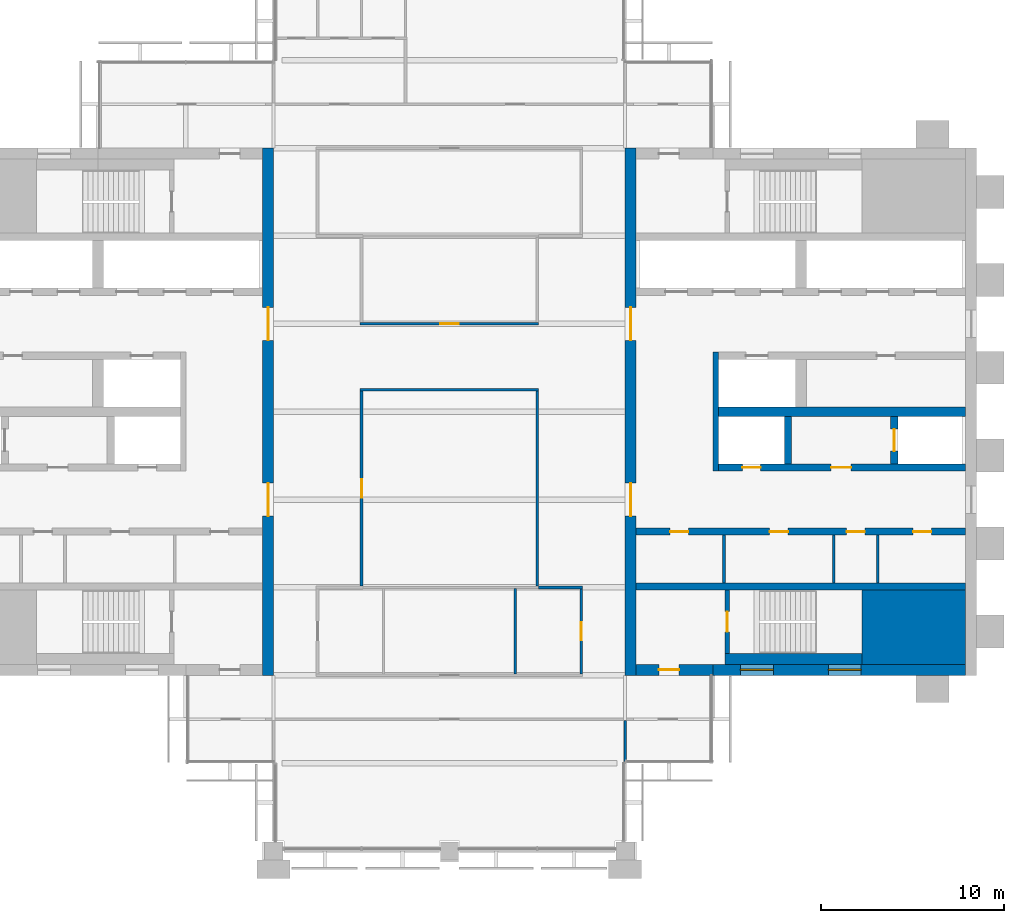
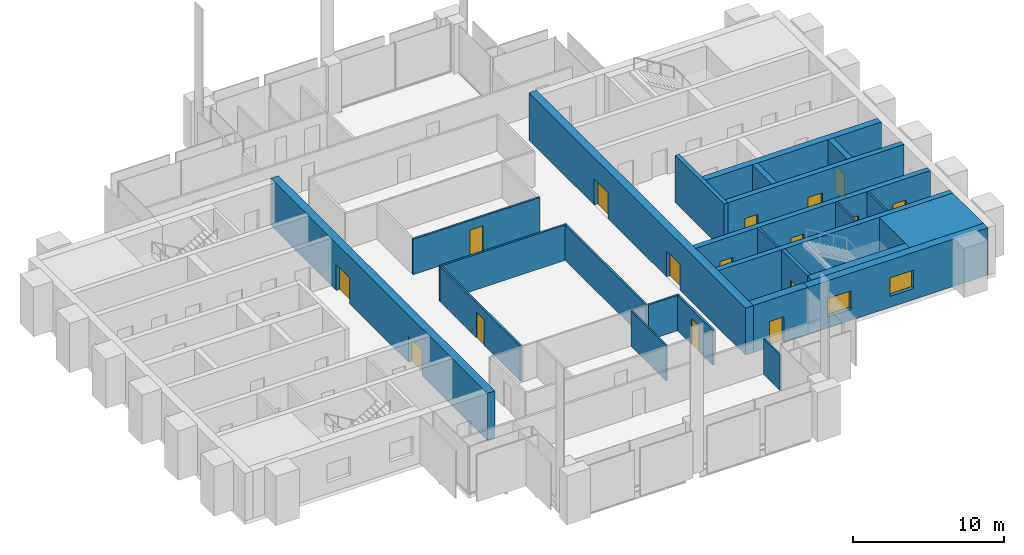
# One storey, part 9 of 12: 25 walls, 16 doors, 2 windows, 18 openings.
"""IFC4 building model written with IfcOpenShell, lengths in metres."""

from ifc_helpers import new_model, si_unit, direction, frame, frame_2d, origin, place, context, subcontext, project, spatial, rectangle, extrude, material, layer, layer_set, type_object, element, fill, save


model = new_model("IFC4")

# Units and contexts
model_context = context("Model", 3, precision=1e-05, world=origin(), true_north=direction((0.0, 1.0)))
body_context = subcontext(model_context, "Body", "Model", "MODEL_VIEW")
ifc_project = project(units=[si_unit("LENGTHUNIT", "METRE"), si_unit("AREAUNIT", "SQUARE_METRE"), si_unit("VOLUMEUNIT", "CUBIC_METRE"), si_unit("PLANEANGLEUNIT", "RADIAN"), si_unit("MASSUNIT", "GRAM", prefix="KILO")], contexts=[model_context])

# Site, building, storey
site_placement = place(None, origin())
site = spatial("IfcSite", under=ifc_project, at=site_placement, CompositionType="ELEMENT")
building_placement = place(site_placement, origin())
building = spatial("IfcBuilding", under=site, at=building_placement, Name="Baori Bourse Tower", CompositionType="ELEMENT")
storey_placement = place(building_placement, frame((0.0, 0.0, 282.300048828125)))
storey = spatial("IfcBuildingStorey", under=building, at=storey_placement, Name="L61", CompositionType="ELEMENT", Elevation=282.300048828125)

# Walls
ifc_material_1 = material(Name="Concrete f'c 40 MPa", Category="concrete")
wall_type_1 = type_object("IfcWallType", Name="Core corner block f'c 40", PredefinedType="SHEAR", material=ifc_material_1)
wall_1_placement = place(storey_placement, frame((51.35009765625, 12.22509765625, 0.0), z_axis=(0.0, 0.0, 1.0), x_axis=(1.0, 0.0, 0.0)))
element("IfcWall", 1, at=wall_1_placement, inside=storey, type_object=wall_type_1, Name="Core wall E05", PredefinedType="SHEAR", context=body_context, shape_type="SweptSolid", body=[
    extrude(rectangle(XDim=5.64990234375, YDim=4.050048828125, at=frame_2d((2.824951171875, 0.0))), origin(), (0.0, 0.0, 1.0), 3.83984375),
])
ifc_material_2 = material(Name="Blockwork partition", Category="masonry")
ifc_layer_1 = layer(ifc_material_2, 0.14990234375)
ifc_layer_set_1 = layer_set([ifc_layer_1], Name="Core partition 150")
wall_type_2 = type_object("IfcWallType", Name="Core partition 150", PredefinedType="PARTITIONING", material=ifc_layer_set_1)
for number, where, z_axis, x_axis, name in (
    (2, (52.199951171875, 14.64990234375, 0.0), (0.0, 0.0, 1.0), (0.0, 1.0, 0.0), "Partition wall E09"),
    (3, (49.800048828125, 14.64990234375, 0.0), (0.0, 0.0, 1.0), (0.0, 1.0, 0.0), "Partition wall E10"),
    (4, (43.800048828125, 14.64990234375, 0.0), (0.0, 0.0, 1.0), (0.0, 1.0, 0.0), "Partition wall E11"),
):
    element("IfcWall", number, at=place(storey_placement, frame(where, z_axis=z_axis, x_axis=x_axis)), inside=storey, type_object=wall_type_2, Name=name, PredefinedType="PARTITIONING", context=body_context, shape_type="SweptSolid", body=[
        extrude(rectangle(XDim=2.60009765625, YDim=0.14990234375, at=frame_2d((1.300048828125, 0.0))), origin(), (0.0, 0.0, 1.0), 3.83984375),
    ])

# Wall, openings, doors
ifc_material_3 = material(Name="Concrete f'c 40 MPa", Category="concrete")
ifc_layer_2 = layer(ifc_material_3, 0.60009765625)
ifc_layer_set_2 = layer_set([ifc_layer_2], Name="Core wall 600 f'c 40")
wall_type_3 = type_object("IfcWallType", Name="Core wall 600 f'c 40", PredefinedType="SHEAR", material=ifc_layer_set_2)
wall_2_placement = place(storey_placement, frame((18.89990234375, 38.39990234375, 0.0), z_axis=(0.0, 0.0, 1.0), x_axis=(0.0, -1.0, 0.0)))
wall_2 = element("IfcWall", 5, at=wall_2_placement, inside=storey, type_object=wall_type_3, Name="Core wall W04", PredefinedType="SHEAR", context=body_context, shape_type="SweptSolid", body=[
    extrude(rectangle(XDim=28.7998046875, YDim=0.60009765625, at=frame_2d((14.39990234375, 0.0))), origin(), (0.0, 0.0, 1.0), 3.83984375),
])
opening_1_placement = place(wall_2_placement, frame((18.300048828125, 0.0, 0.0)))
opening_1 = element("IfcOpeningElement", 6, at=opening_1_placement, cuts=wall_2, Name="Opening L61-D107", PredefinedType="OPENING", context=body_context, shape_type="SweptSolid", body=[
    extrude(rectangle(XDim=1.800048828125, YDim=2.10009765625, at=frame_2d((0.89990234375, 1.050048828125))), frame((0.0, 0.31005859375, 0.0), z_axis=(0.0, -1.0, 0.0), x_axis=(1.0, 0.0, 0.0)), (0.0, 0.0, 1.0), 0.6201171875),
])
opening_2_placement = place(wall_2_placement, frame((8.699951171875, 0.0, 0.0)))
opening_2 = element("IfcOpeningElement", 7, at=opening_2_placement, cuts=wall_2, Name="Opening L61-D108", PredefinedType="OPENING", context=body_context, shape_type="SweptSolid", body=[
    extrude(rectangle(XDim=1.800048828125, YDim=2.10009765625, at=frame_2d((0.89990234375, 1.050048828125))), frame((0.0, 0.31005859375, 0.0), z_axis=(0.0, -1.0, 0.0), x_axis=(1.0, 0.0, 0.0)), (0.0, 0.0, 1.0), 0.6201171875),
])
ifc_material_4 = material(Name="Painted steel door", Category="steel")
door_type_1 = type_object("IfcDoorType", Name="Core lobby door 1800", OperationType="DOUBLE_DOOR_SINGLE_SWING", PredefinedType="DOOR", material=ifc_material_4)
door_1_placement = place(opening_1_placement, origin())
door_1 = element("IfcDoor", 8, at=door_1_placement, inside=storey, type_object=door_type_1, Name="Lobby door W L61", OperationType="DOUBLE_DOOR_SINGLE_SWING", OverallHeight=2.10009765625, OverallWidth=1.800048828125, PredefinedType="DOOR", context=body_context, shape_type="SweptSolid", body=[
    extrude(rectangle(XDim=1.800048828125, YDim=2.10009765625, at=frame_2d((0.89990234375, 1.050048828125))), frame((0.0, 0.02490234375, 0.0), z_axis=(0.0, -1.0, 0.0), x_axis=(1.0, 0.0, 0.0)), (0.0, 0.0, 1.0), 0.050048828125),
])
fill(opening_1, door_1)
door_2_placement = place(opening_2_placement, origin())
door_2 = element("IfcDoor", 9, at=door_2_placement, inside=storey, type_object=door_type_1, Name="Lobby door W L61", OperationType="DOUBLE_DOOR_SINGLE_SWING", OverallHeight=2.10009765625, OverallWidth=1.800048828125, PredefinedType="DOOR", context=body_context, shape_type="SweptSolid", body=[
    extrude(rectangle(XDim=1.800048828125, YDim=2.10009765625, at=frame_2d((0.89990234375, 1.050048828125))), frame((0.0, 0.02490234375, 0.0), z_axis=(0.0, -1.0, 0.0), x_axis=(1.0, 0.0, 0.0)), (0.0, 0.0, 1.0), 0.050048828125),
])
fill(opening_2, door_2)

# Wall, openings, windows
wall_3_placement = place(storey_placement, frame((57.0, 9.89990234375, 0.0), z_axis=(0.0, 0.0, 1.0), x_axis=(-1.0, 0.0, 0.0)))
wall_3 = element("IfcWall", 10, at=wall_3_placement, inside=storey, type_object=wall_type_3, Name="Core wall E02", PredefinedType="SHEAR", context=body_context, shape_type="SweptSolid", body=[
    extrude(rectangle(XDim=13.800048828125, YDim=0.60009765625, at=frame_2d((6.89990234375, 0.0))), origin(), (0.0, 0.0, 1.0), 3.83984375),
])
opening_3_placement = place(wall_3_placement, frame((5.699951171875, 0.0, 0.89990234375)))
opening_3 = element("IfcOpeningElement", 11, at=opening_3_placement, cuts=wall_3, Name="Opening L61-KW203", PredefinedType="OPENING", context=body_context, shape_type="SweptSolid", body=[
    extrude(rectangle(XDim=1.800048828125, YDim=1.5, at=frame_2d((0.89990234375, 0.75))), frame((0.0, 0.31005859375, 0.0), z_axis=(0.0, -1.0, 0.0), x_axis=(1.0, 0.0, 0.0)), (0.0, 0.0, 1.0), 0.6201171875),
])
opening_4_placement = place(wall_3_placement, frame((10.5, 0.0, 0.89990234375)))
opening_4 = element("IfcOpeningElement", 12, at=opening_4_placement, cuts=wall_3, Name="Opening L61-KW204", PredefinedType="OPENING", context=body_context, shape_type="SweptSolid", body=[
    extrude(rectangle(XDim=1.800048828125, YDim=1.5, at=frame_2d((0.89990234375, 0.75))), frame((0.0, 0.31005859375, 0.0), z_axis=(0.0, -1.0, 0.0), x_axis=(1.0, 0.0, 0.0)), (0.0, 0.0, 1.0), 0.6201171875),
])
ifc_material_5 = material(Name="Pale anodised aluminium", Category="aluminium")
window_type = type_object("IfcWindowType", Name="Stair window 1800 x 1500", PartitioningType="SINGLE_PANEL", PredefinedType="WINDOW", material=ifc_material_5)
window_1_placement = place(opening_3_placement, origin())
window_1 = element("IfcWindow", 13, at=window_1_placement, inside=storey, type_object=window_type, Name="Stair window E L61 3", OverallHeight=1.5, OverallWidth=1.800048828125, PartitioningType="SINGLE_PANEL", PredefinedType="WINDOW", context=body_context, shape_type="SweptSolid", body=[
    extrude(rectangle(XDim=1.800048828125, YDim=1.5, at=frame_2d((0.89990234375, 0.75))), frame((0.0, 0.030029296875, 0.0), z_axis=(0.0, -1.0, 0.0), x_axis=(1.0, 0.0, 0.0)), (0.0, 0.0, 1.0), 0.06005859375),
])
fill(opening_3, window_1)
window_2_placement = place(opening_4_placement, origin())
window_2 = element("IfcWindow", 14, at=window_2_placement, inside=storey, type_object=window_type, Name="Stair window E L61 4", OverallHeight=1.5, OverallWidth=1.800048828125, PartitioningType="SINGLE_PANEL", PredefinedType="WINDOW", context=body_context, shape_type="SweptSolid", body=[
    extrude(rectangle(XDim=1.800048828125, YDim=1.5, at=frame_2d((0.89990234375, 0.75))), frame((0.0, 0.030029296875, 0.0), z_axis=(0.0, -1.0, 0.0), x_axis=(1.0, 0.0, 0.0)), (0.0, 0.0, 1.0), 0.06005859375),
])
fill(opening_4, window_2)

# Wall, opening, door
wall_4_placement = place(storey_placement, frame((43.199951171875, 9.89990234375, 0.0), z_axis=(0.0, 0.0, 1.0), x_axis=(-1.0, 0.0, 0.0)))
wall_4 = element("IfcWall", 15, at=wall_4_placement, inside=storey, type_object=wall_type_3, Name="Core wall E03", PredefinedType="SHEAR", context=body_context, shape_type="SweptSolid", body=[
    extrude(rectangle(XDim=4.199951171875, YDim=0.60009765625, at=frame_2d((2.10009765625, 0.0))), origin(), (0.0, 0.0, 1.0), 3.83984375),
])
opening_5_placement = place(wall_4_placement, frame((1.85009765625, 0.0, 0.0)))
opening_5 = element("IfcOpeningElement", 16, at=opening_5_placement, cuts=wall_4, Name="Opening L61-D202", PredefinedType="OPENING", context=body_context, shape_type="SweptSolid", body=[
    extrude(rectangle(XDim=1.10009765625, YDim=2.10009765625, at=frame_2d((0.550048828125, 1.050048828125))), frame((0.0, 0.31005859375, 0.0), z_axis=(0.0, -1.0, 0.0), x_axis=(1.0, 0.0, 0.0)), (0.0, 0.0, 1.0), 0.6201171875),
])
ifc_material_6 = material(Name="Painted steel door", Category="steel")
door_type_2 = type_object("IfcDoorType", Name="Stair door 1100", OperationType="SINGLE_SWING_LEFT", PredefinedType="DOOR", material=ifc_material_6)
door_3_placement = place(opening_5_placement, origin())
door_3 = element("IfcDoor", 17, at=door_3_placement, inside=storey, type_object=door_type_2, Name="Stair vestibule door A E L61", OperationType="SINGLE_SWING_LEFT", OverallHeight=2.10009765625, OverallWidth=1.10009765625, PredefinedType="DOOR", context=body_context, shape_type="SweptSolid", body=[
    extrude(rectangle(XDim=1.10009765625, YDim=2.10009765625, at=frame_2d((0.550048828125, 1.050048828125))), frame((0.0, 0.02490234375, 0.0), z_axis=(0.0, -1.0, 0.0), x_axis=(1.0, 0.0, 0.0)), (0.0, 0.0, 1.0), 0.050048828125),
])
fill(opening_5, door_3)

# Wall, openings, doors
wall_5_placement = place(storey_placement, frame((38.699951171875, 9.60009765625, 0.0), z_axis=(0.0, 0.0, 1.0), x_axis=(0.0, 1.0, 0.0)))
wall_5 = element("IfcWall", 18, at=wall_5_placement, inside=storey, type_object=wall_type_3, Name="Core wall E04", PredefinedType="SHEAR", context=body_context, shape_type="SweptSolid", body=[
    extrude(rectangle(XDim=28.7998046875, YDim=0.60009765625, at=frame_2d((14.39990234375, 0.0))), origin(), (0.0, 0.0, 1.0), 3.83984375),
])
opening_6_placement = place(wall_5_placement, frame((8.699951171875, 0.0, 0.0)))
opening_6 = element("IfcOpeningElement", 19, at=opening_6_placement, cuts=wall_5, Name="Opening L61-D207", PredefinedType="OPENING", context=body_context, shape_type="SweptSolid", body=[
    extrude(rectangle(XDim=1.800048828125, YDim=2.10009765625, at=frame_2d((0.89990234375, 1.050048828125))), frame((0.0, 0.31005859375, 0.0), z_axis=(0.0, -1.0, 0.0), x_axis=(1.0, 0.0, 0.0)), (0.0, 0.0, 1.0), 0.6201171875),
])
opening_7_placement = place(wall_5_placement, frame((18.300048828125, 0.0, 0.0)))
opening_7 = element("IfcOpeningElement", 20, at=opening_7_placement, cuts=wall_5, Name="Opening L61-D208", PredefinedType="OPENING", context=body_context, shape_type="SweptSolid", body=[
    extrude(rectangle(XDim=1.800048828125, YDim=2.10009765625, at=frame_2d((0.89990234375, 1.050048828125))), frame((0.0, 0.31005859375, 0.0), z_axis=(0.0, -1.0, 0.0), x_axis=(1.0, 0.0, 0.0)), (0.0, 0.0, 1.0), 0.6201171875),
])
door_4_placement = place(opening_6_placement, origin())
door_4 = element("IfcDoor", 21, at=door_4_placement, inside=storey, type_object=door_type_1, Name="Lobby door E L61", OperationType="DOUBLE_DOOR_SINGLE_SWING", OverallHeight=2.10009765625, OverallWidth=1.800048828125, PredefinedType="DOOR", context=body_context, shape_type="SweptSolid", body=[
    extrude(rectangle(XDim=1.800048828125, YDim=2.10009765625, at=frame_2d((0.89990234375, 1.050048828125))), frame((0.0, 0.02490234375, 0.0), z_axis=(0.0, -1.0, 0.0), x_axis=(1.0, 0.0, 0.0)), (0.0, 0.0, 1.0), 0.050048828125),
])
fill(opening_6, door_4)
door_5_placement = place(opening_7_placement, origin())
door_5 = element("IfcDoor", 22, at=door_5_placement, inside=storey, type_object=door_type_1, Name="Lobby door E L61", OperationType="DOUBLE_DOOR_SINGLE_SWING", OverallHeight=2.10009765625, OverallWidth=1.800048828125, PredefinedType="DOOR", context=body_context, shape_type="SweptSolid", body=[
    extrude(rectangle(XDim=1.800048828125, YDim=2.10009765625, at=frame_2d((0.89990234375, 1.050048828125))), frame((0.0, 0.02490234375, 0.0), z_axis=(0.0, -1.0, 0.0), x_axis=(1.0, 0.0, 0.0)), (0.0, 0.0, 1.0), 0.050048828125),
])
fill(opening_7, door_5)

# Walls
ifc_material_7 = material(Name="Gypsum board partition")
ifc_layer_3 = layer(ifc_material_7, 0.14990234375)
ifc_layer_set_3 = layer_set([ifc_layer_3], Name="Corridor partition 150")
wall_type_4 = type_object("IfcWallType", Name="Corridor partition 150", PredefinedType="PARTITIONING", material=ifc_layer_set_3)
wall_6_placement = place(storey_placement, frame((33.675048828125, 14.39990234375, 0.0), z_axis=(0.0, 0.0, 1.0), x_axis=(1.0, 0.0, 0.0)))
element("IfcWall", 23, at=wall_6_placement, inside=storey, type_object=wall_type_4, Name="Partition", PredefinedType="PARTITIONING", context=body_context, shape_type="SweptSolid", body=[
    extrude(rectangle(XDim=2.39990234375, YDim=0.14990234375, at=frame_2d((1.199951171875, 0.0))), origin(), (0.0, 0.0, 1.0), 2.86962890625),
])
wall_7_placement = place(storey_placement, frame((23.925048828125, 25.199951171875, 0.0), z_axis=(0.0, 0.0, 1.0), x_axis=(1.0, 0.0, 0.0)))
element("IfcWall", 24, at=wall_7_placement, inside=storey, type_object=wall_type_4, Name="Partition", PredefinedType="PARTITIONING", context=body_context, shape_type="SweptSolid", body=[
    extrude(rectangle(XDim=9.75, YDim=0.14990234375, at=frame_2d((4.875, 0.0))), origin(), (0.0, 0.0, 1.0), 2.86962890625),
])

# Wall, opening, door
wall_8_placement = place(storey_placement, frame((23.925048828125, 28.800048828125, 0.0), z_axis=(0.0, 0.0, 1.0), x_axis=(1.0, 0.0, 0.0)))
wall_8 = element("IfcWall", 25, at=wall_8_placement, inside=storey, type_object=wall_type_4, Name="Partition", PredefinedType="PARTITIONING", context=body_context, shape_type="SweptSolid", body=[
    extrude(rectangle(XDim=9.75, YDim=0.14990234375, at=frame_2d((4.875, 0.0))), origin(), (0.0, 0.0, 1.0), 2.86962890625),
])
opening_8_placement = place(wall_8_placement, frame((4.375, 0.0, 0.0)))
opening_8 = element("IfcOpeningElement", 26, at=opening_8_placement, cuts=wall_8, Name="Opening L61-D05", PredefinedType="OPENING", context=body_context, shape_type="SweptSolid", body=[
    extrude(rectangle(XDim=1.0, YDim=2.10009765625, at=frame_2d((0.5, 1.050048828125))), frame((0.0, 0.0849609375, 0.0), z_axis=(0.0, -1.0, 0.0), x_axis=(1.0, 0.0, 0.0)), (0.0, 0.0, 1.0), 0.169921875),
])
ifc_material_8 = material(Name="Timber door leaf", Category="wood")
door_type_3 = type_object("IfcDoorType", Name="Door 1000 x 2100", OperationType="SINGLE_SWING_LEFT", PredefinedType="DOOR", material=ifc_material_8)
door_6_placement = place(opening_8_placement, origin())
door_6 = element("IfcDoor", 27, at=door_6_placement, inside=storey, type_object=door_type_3, Name="Door", OperationType="SINGLE_SWING_LEFT", OverallHeight=2.10009765625, OverallWidth=1.0, PredefinedType="DOOR", context=body_context, shape_type="SweptSolid", body=[
    extrude(rectangle(XDim=1.0, YDim=2.10009765625, at=frame_2d((0.5, 1.050048828125))), frame((0.0, 0.02490234375, 0.0), z_axis=(0.0, -1.0, 0.0), x_axis=(1.0, 0.0, 0.0)), (0.0, 0.0, 1.0), 0.050048828125),
])
fill(opening_8, door_6)

wall_9_placement = place(storey_placement, frame((24.0, 14.47509765625, 0.0), z_axis=(0.0, 0.0, 1.0), x_axis=(0.0, 1.0, 0.0)))
wall_9 = element("IfcWall", 28, at=wall_9_placement, inside=storey, type_object=wall_type_4, Name="Partition", PredefinedType="PARTITIONING", context=body_context, shape_type="SweptSolid", body=[
    extrude(rectangle(XDim=10.64990234375, YDim=0.14990234375, at=frame_2d((5.324951171875, 0.0))), origin(), (0.0, 0.0, 1.0), 2.86962890625),
])
opening_9_placement = place(wall_9_placement, frame((4.824951171875, 0.0, 0.0)))
opening_9 = element("IfcOpeningElement", 29, at=opening_9_placement, cuts=wall_9, Name="Opening L61-D15", PredefinedType="OPENING", context=body_context, shape_type="SweptSolid", body=[
    extrude(rectangle(XDim=1.0, YDim=2.10009765625, at=frame_2d((0.5, 1.050048828125))), frame((0.0, 0.0849609375, 0.0), z_axis=(0.0, -1.0, 0.0), x_axis=(1.0, 0.0, 0.0)), (0.0, 0.0, 1.0), 0.169921875),
])
door_7_placement = place(opening_9_placement, origin())
door_7 = element("IfcDoor", 30, at=door_7_placement, inside=storey, type_object=door_type_3, Name="Door", OperationType="SINGLE_SWING_RIGHT", OverallHeight=2.10009765625, OverallWidth=1.0, PredefinedType="DOOR", context=body_context, shape_type="SweptSolid", body=[
    extrude(rectangle(XDim=1.0, YDim=2.10009765625, at=frame_2d((0.5, 1.050048828125))), frame((0.0, 0.02490234375, 0.0), z_axis=(0.0, -1.0, 0.0), x_axis=(1.0, 0.0, 0.0)), (0.0, 0.0, 1.0), 0.050048828125),
])
fill(opening_9, door_7)

# Wall
wall_10_placement = place(storey_placement, frame((33.60009765625, 14.47509765625, 0.0), z_axis=(0.0, 0.0, 1.0), x_axis=(0.0, 1.0, 0.0)))
element("IfcWall", 31, at=wall_10_placement, inside=storey, type_object=wall_type_4, Name="Partition", PredefinedType="PARTITIONING", context=body_context, shape_type="SweptSolid", body=[
    extrude(rectangle(XDim=10.64990234375, YDim=0.14990234375, at=frame_2d((5.324951171875, 0.0))), origin(), (0.0, 0.0, 1.0), 2.86962890625),
])

# Wall, opening, door
wall_11_placement = place(storey_placement, frame((36.0, 9.675048828125, 0.0), z_axis=(0.0, 0.0, 1.0), x_axis=(0.0, 1.0, 0.0)))
wall_11 = element("IfcWall", 32, at=wall_11_placement, inside=storey, type_object=wall_type_4, Name="Partition", PredefinedType="PARTITIONING", context=body_context, shape_type="SweptSolid", body=[
    extrude(rectangle(XDim=4.64990234375, YDim=0.14990234375, at=frame_2d((2.324951171875, 0.0))), origin(), (0.0, 0.0, 1.0), 2.86962890625),
])
opening_10_placement = place(wall_11_placement, frame((1.824951171875, 0.0, 0.0)))
opening_10 = element("IfcOpeningElement", 33, at=opening_10_placement, cuts=wall_11, Name="Opening L61-D16", PredefinedType="OPENING", context=body_context, shape_type="SweptSolid", body=[
    extrude(rectangle(XDim=1.0, YDim=2.10009765625, at=frame_2d((0.5, 1.050048828125))), frame((0.0, 0.0849609375, 0.0), z_axis=(0.0, -1.0, 0.0), x_axis=(1.0, 0.0, 0.0)), (0.0, 0.0, 1.0), 0.169921875),
])
door_8_placement = place(opening_10_placement, origin())
door_8 = element("IfcDoor", 34, at=door_8_placement, inside=storey, type_object=door_type_3, Name="Door", OperationType="SINGLE_SWING_RIGHT", OverallHeight=2.10009765625, OverallWidth=1.0, PredefinedType="DOOR", context=body_context, shape_type="SweptSolid", body=[
    extrude(rectangle(XDim=1.0, YDim=2.10009765625, at=frame_2d((0.5, 1.050048828125))), frame((0.0, 0.02490234375, 0.0), z_axis=(0.0, -1.0, 0.0), x_axis=(1.0, 0.0, 0.0)), (0.0, 0.0, 1.0), 0.050048828125),
])
fill(opening_10, door_8)

# Walls
ifc_material_9 = material(Name="Gypsum board partition")
ifc_layer_4 = layer(ifc_material_9, 0.125)
ifc_layer_set_4 = layer_set([ifc_layer_4], Name="Partition 125")
wall_type_5 = type_object("IfcWallType", Name="Partition 125", PredefinedType="PARTITIONING", material=ifc_layer_set_4)
wall_12_placement = place(storey_placement, frame((32.39990234375, 9.675048828125, 0.0), z_axis=(0.0, 0.0, 1.0), x_axis=(0.0, 1.0, 0.0)))
element("IfcWall", 35, at=wall_12_placement, inside=storey, type_object=wall_type_5, Name="Partition", PredefinedType="PARTITIONING", context=body_context, shape_type="SweptSolid", body=[
    extrude(rectangle(XDim=4.662353515625, YDim=0.125, at=frame_2d((2.3310546875, 0.0))), origin(), (0.0, 0.0, 1.0), 2.86962890625),
])
wall_13_placement = place(storey_placement, frame((38.39990234375, 4.89990234375, 0.0), z_axis=(0.0, 0.0, 1.0), x_axis=(0.0, 1.0, 0.0)))
element("IfcWall", 36, at=wall_13_placement, inside=storey, type_object=wall_type_5, Name="Partition", PredefinedType="PARTITIONING", context=body_context, shape_type="SweptSolid", body=[
    extrude(rectangle(XDim=2.22509765625, YDim=0.125, at=frame_2d((1.112548828125, 0.0))), origin(), (0.0, 0.0, 1.0), 2.86962890625),
])

# Wall, opening, door
ifc_material_10 = material(Name="Concrete f'c 40 MPa", Category="concrete")
ifc_layer_5 = layer(ifc_material_10, 0.25)
ifc_layer_set_5 = layer_set([ifc_layer_5], Name="Shaft wall 250 f'c 40")
wall_type_6 = type_object("IfcWallType", Name="Shaft wall 250 f'c 40", PredefinedType="SHEAR", material=ifc_layer_set_5)
wall_14_placement = place(storey_placement, frame((43.97509765625, 10.800048828125, 0.0), z_axis=(0.0, 0.0, 1.0), x_axis=(0.0, 1.0, 0.0)))
wall_14 = element("IfcWall", 37, at=wall_14_placement, inside=storey, type_object=wall_type_6, Name="Core wall E07", PredefinedType="SHEAR", context=body_context, shape_type="SweptSolid", body=[
    extrude(rectangle(XDim=3.449951171875, YDim=0.25, at=frame_2d((1.72509765625, 0.0))), origin(), (0.0, 0.0, 1.0), 3.83984375),
])
opening_11_placement = place(wall_14_placement, frame((1.175048828125, 0.0, 0.0)))
opening_11 = element("IfcOpeningElement", 38, at=opening_11_placement, cuts=wall_14, Name="Opening L61-D201", PredefinedType="OPENING", context=body_context, shape_type="SweptSolid", body=[
    extrude(rectangle(XDim=1.10009765625, YDim=2.10009765625, at=frame_2d((0.550048828125, 1.050048828125))), frame((0.0, 0.135009765625, 0.0), z_axis=(0.0, -1.0, 0.0), x_axis=(1.0, 0.0, 0.0)), (0.0, 0.0, 1.0), 0.27001953125),
])
door_9_placement = place(opening_11_placement, origin())
door_9 = element("IfcDoor", 39, at=door_9_placement, inside=storey, type_object=door_type_2, Name="Stair door A E L61", OperationType="SINGLE_SWING_LEFT", OverallHeight=2.10009765625, OverallWidth=1.10009765625, PredefinedType="DOOR", context=body_context, shape_type="SweptSolid", body=[
    extrude(rectangle(XDim=1.10009765625, YDim=2.10009765625, at=frame_2d((0.550048828125, 1.050048828125))), frame((0.0, 0.02490234375, 0.0), z_axis=(0.0, -1.0, 0.0), x_axis=(1.0, 0.0, 0.0)), (0.0, 0.0, 1.0), 0.050048828125),
])
fill(opening_11, door_9)

# Walls
ifc_material_11 = material(Name="Concrete f'c 40 MPa", Category="concrete")
ifc_layer_6 = layer(ifc_material_11, 0.300048828125)
ifc_layer_set_6 = layer_set([ifc_layer_6], Name="Shaft wall 300 f'c 40")
wall_type_7 = type_object("IfcWallType", Name="Shaft wall 300 f'c 40", PredefinedType="SHEAR", material=ifc_layer_set_6)
wall_15_placement = place(storey_placement, frame((43.35009765625, 20.75, 0.0), z_axis=(0.0, 0.0, 1.0), x_axis=(0.0, 1.0, 0.0)))
element("IfcWall", 40, at=wall_15_placement, inside=storey, type_object=wall_type_7, Name="Core wall E14", PredefinedType="SHEAR", context=body_context, shape_type="SweptSolid", body=[
    extrude(rectangle(XDim=6.5, YDim=0.300048828125, at=frame_2d((3.25, 0.0))), origin(), (0.0, 0.0, 1.0), 3.83984375),
])
ifc_material_12 = material(Name="Concrete f'c 40 MPa", Category="concrete")
ifc_layer_7 = layer(ifc_material_12, 0.39990234375)
ifc_layer_set_7 = layer_set([ifc_layer_7], Name="Shaft wall 400 f'c 40")
wall_type_8 = type_object("IfcWallType", Name="Shaft wall 400 f'c 40", PredefinedType="SHEAR", material=ifc_layer_set_7)
wall_16_placement = place(storey_placement, frame((39.0, 14.449951171875, 0.0), z_axis=(0.0, 0.0, 1.0), x_axis=(1.0, 0.0, 0.0)))
element("IfcWall", 41, at=wall_16_placement, inside=storey, type_object=wall_type_8, Name="Core wall E08", PredefinedType="SHEAR", context=body_context, shape_type="SweptSolid", body=[
    extrude(rectangle(XDim=18.0, YDim=0.39990234375, at=frame_2d((9.0, 0.0))), origin(), (0.0, 0.0, 1.0), 3.83984375),
])

# Wall, openings, doors
wall_17_placement = place(storey_placement, frame((39.0, 17.449951171875, 0.0), z_axis=(0.0, 0.0, 1.0), x_axis=(1.0, 0.0, 0.0)))
wall_17 = element("IfcWall", 42, at=wall_17_placement, inside=storey, type_object=wall_type_8, Name="Core wall E12", PredefinedType="SHEAR", context=body_context, shape_type="SweptSolid", body=[
    extrude(rectangle(XDim=18.0, YDim=0.39990234375, at=frame_2d((9.0, 0.0))), origin(), (0.0, 0.0, 1.0), 3.83984375),
])
opening_12_placement = place(wall_17_placement, frame((15.137451171875, 0.0, 0.0)))
opening_12 = element("IfcOpeningElement", 43, at=opening_12_placement, cuts=wall_17, Name="Opening L61-D209", PredefinedType="OPENING", context=body_context, shape_type="SweptSolid", body=[
    extrude(rectangle(XDim=1.0, YDim=2.10009765625, at=frame_2d((0.5, 1.050048828125))), frame((0.0, 0.2099609375, 0.0), z_axis=(0.0, -1.0, 0.0), x_axis=(1.0, 0.0, 0.0)), (0.0, 0.0, 1.0), 0.419921875),
])
opening_13_placement = place(wall_17_placement, frame((11.5, 0.0, 0.0)))
opening_13 = element("IfcOpeningElement", 44, at=opening_13_placement, cuts=wall_17, Name="Opening L61-D210", PredefinedType="OPENING", context=body_context, shape_type="SweptSolid", body=[
    extrude(rectangle(XDim=1.0, YDim=2.10009765625, at=frame_2d((0.5, 1.050048828125))), frame((0.0, 0.2099609375, 0.0), z_axis=(0.0, -1.0, 0.0), x_axis=(1.0, 0.0, 0.0)), (0.0, 0.0, 1.0), 0.419921875),
])
opening_14_placement = place(wall_17_placement, frame((7.300048828125, 0.0, 0.0)))
opening_14 = element("IfcOpeningElement", 45, at=opening_14_placement, cuts=wall_17, Name="Opening L61-D211", PredefinedType="OPENING", context=body_context, shape_type="SweptSolid", body=[
    extrude(rectangle(XDim=1.0, YDim=2.10009765625, at=frame_2d((0.5, 1.050048828125))), frame((0.0, 0.2099609375, 0.0), z_axis=(0.0, -1.0, 0.0), x_axis=(1.0, 0.0, 0.0)), (0.0, 0.0, 1.0), 0.419921875),
])
opening_15_placement = place(wall_17_placement, frame((1.862548828125, 0.0, 0.0)))
opening_15 = element("IfcOpeningElement", 46, at=opening_15_placement, cuts=wall_17, Name="Opening L61-D212", PredefinedType="OPENING", context=body_context, shape_type="SweptSolid", body=[
    extrude(rectangle(XDim=1.0, YDim=2.10009765625, at=frame_2d((0.5, 1.050048828125))), frame((0.0, 0.2099609375, 0.0), z_axis=(0.0, -1.0, 0.0), x_axis=(1.0, 0.0, 0.0)), (0.0, 0.0, 1.0), 0.419921875),
])
ifc_material_13 = material(Name="Painted steel door", Category="steel")
door_type_4 = type_object("IfcDoorType", Name="Core door 1000", OperationType="SINGLE_SWING_LEFT", PredefinedType="DOOR", material=ifc_material_13)
door_10_placement = place(opening_12_placement, origin())
door_10 = element("IfcDoor", 47, at=door_10_placement, inside=storey, type_object=door_type_4, Name="Women'S Wc door E L61", OperationType="SINGLE_SWING_LEFT", OverallHeight=2.10009765625, OverallWidth=1.0, PredefinedType="DOOR", context=body_context, shape_type="SweptSolid", body=[
    extrude(rectangle(XDim=1.0, YDim=2.10009765625, at=frame_2d((0.5, 1.050048828125))), frame((0.0, 0.02490234375, 0.0), z_axis=(0.0, -1.0, 0.0), x_axis=(1.0, 0.0, 0.0)), (0.0, 0.0, 1.0), 0.050048828125),
])
fill(opening_12, door_10)
door_11_placement = place(opening_13_placement, origin())
door_11 = element("IfcDoor", 48, at=door_11_placement, inside=storey, type_object=door_type_4, Name="Store Room door E L61", OperationType="SINGLE_SWING_LEFT", OverallHeight=2.10009765625, OverallWidth=1.0, PredefinedType="DOOR", context=body_context, shape_type="SweptSolid", body=[
    extrude(rectangle(XDim=1.0, YDim=2.10009765625, at=frame_2d((0.5, 1.050048828125))), frame((0.0, 0.02490234375, 0.0), z_axis=(0.0, -1.0, 0.0), x_axis=(1.0, 0.0, 0.0)), (0.0, 0.0, 1.0), 0.050048828125),
])
fill(opening_13, door_11)
door_12_placement = place(opening_14_placement, origin())
door_12 = element("IfcDoor", 49, at=door_12_placement, inside=storey, type_object=door_type_4, Name="Men'S Wc door E L61", OperationType="SINGLE_SWING_LEFT", OverallHeight=2.10009765625, OverallWidth=1.0, PredefinedType="DOOR", context=body_context, shape_type="SweptSolid", body=[
    extrude(rectangle(XDim=1.0, YDim=2.10009765625, at=frame_2d((0.5, 1.050048828125))), frame((0.0, 0.02490234375, 0.0), z_axis=(0.0, -1.0, 0.0), x_axis=(1.0, 0.0, 0.0)), (0.0, 0.0, 1.0), 0.050048828125),
])
fill(opening_14, door_12)
door_13_placement = place(opening_15_placement, origin())
door_13 = element("IfcDoor", 50, at=door_13_placement, inside=storey, type_object=door_type_4, Name="Accessible Wc door E L61", OperationType="SINGLE_SWING_LEFT", OverallHeight=2.10009765625, OverallWidth=1.0, PredefinedType="DOOR", context=body_context, shape_type="SweptSolid", body=[
    extrude(rectangle(XDim=1.0, YDim=2.10009765625, at=frame_2d((0.5, 1.050048828125))), frame((0.0, 0.02490234375, 0.0), z_axis=(0.0, -1.0, 0.0), x_axis=(1.0, 0.0, 0.0)), (0.0, 0.0, 1.0), 0.050048828125),
])
fill(opening_15, door_13)

wall_18_placement = place(storey_placement, frame((43.5, 20.949951171875, 0.0), z_axis=(0.0, 0.0, 1.0), x_axis=(1.0, 0.0, 0.0)))
wall_18 = element("IfcWall", 51, at=wall_18_placement, inside=storey, type_object=wall_type_8, Name="Core wall E13", PredefinedType="SHEAR", context=body_context, shape_type="SweptSolid", body=[
    extrude(rectangle(XDim=13.5, YDim=0.39990234375, at=frame_2d((6.75, 0.0))), origin(), (0.0, 0.0, 1.0), 3.83984375),
])
opening_16_placement = place(wall_18_placement, frame((6.14990234375, 0.0, 0.0)))
opening_16 = element("IfcOpeningElement", 52, at=opening_16_placement, cuts=wall_18, Name="Opening L61-D205", PredefinedType="OPENING", context=body_context, shape_type="SweptSolid", body=[
    extrude(rectangle(XDim=1.10009765625, YDim=2.10009765625, at=frame_2d((0.550048828125, 1.050048828125))), frame((0.0, 0.2099609375, 0.0), z_axis=(0.0, -1.0, 0.0), x_axis=(1.0, 0.0, 0.0)), (0.0, 0.0, 1.0), 0.419921875),
])
opening_17_placement = place(wall_18_placement, frame((1.300048828125, 0.0, 0.0)))
opening_17 = element("IfcOpeningElement", 53, at=opening_17_placement, cuts=wall_18, Name="Opening L61-D206", PredefinedType="OPENING", context=body_context, shape_type="SweptSolid", body=[
    extrude(rectangle(XDim=1.0, YDim=2.10009765625, at=frame_2d((0.5, 1.050048828125))), frame((0.0, 0.2099609375, 0.0), z_axis=(0.0, -1.0, 0.0), x_axis=(1.0, 0.0, 0.0)), (0.0, 0.0, 1.0), 0.419921875),
])
ifc_material_14 = material(Name="Painted steel door", Category="steel")
door_type_5 = type_object("IfcDoorType", Name="Lobby door 1100", OperationType="SINGLE_SWING_LEFT", PredefinedType="DOOR", material=ifc_material_14)
door_14_placement = place(opening_16_placement, origin())
door_14 = element("IfcDoor", 54, at=door_14_placement, inside=storey, type_object=door_type_5, Name="Firefighting lobby door E L61", OperationType="SINGLE_SWING_LEFT", OverallHeight=2.10009765625, OverallWidth=1.10009765625, PredefinedType="DOOR", context=body_context, shape_type="SweptSolid", body=[
    extrude(rectangle(XDim=1.10009765625, YDim=2.10009765625, at=frame_2d((0.550048828125, 1.050048828125))), frame((0.0, 0.02490234375, 0.0), z_axis=(0.0, -1.0, 0.0), x_axis=(1.0, 0.0, 0.0)), (0.0, 0.0, 1.0), 0.050048828125),
])
fill(opening_16, door_14)
ifc_material_15 = material(Name="Painted steel door", Category="steel")
door_type_6 = type_object("IfcDoorType", Name="Shaft door 1000", OperationType="SINGLE_SWING_LEFT", PredefinedType="DOOR", material=ifc_material_15)
door_15_placement = place(opening_17_placement, origin())
door_15 = element("IfcDoor", 55, at=door_15_placement, inside=storey, type_object=door_type_6, Name="Riser room door E L61", OperationType="SINGLE_SWING_LEFT", OverallHeight=2.10009765625, OverallWidth=1.0, PredefinedType="DOOR", context=body_context, shape_type="SweptSolid", body=[
    extrude(rectangle(XDim=1.0, YDim=2.10009765625, at=frame_2d((0.5, 1.050048828125))), frame((0.0, 0.02490234375, 0.0), z_axis=(0.0, -1.0, 0.0), x_axis=(1.0, 0.0, 0.0)), (0.0, 0.0, 1.0), 0.050048828125),
])
fill(opening_17, door_15)

# Wall, opening, door
wall_19_placement = place(storey_placement, frame((53.10009765625, 21.14990234375, 0.0), z_axis=(0.0, 0.0, 1.0), x_axis=(0.0, 1.0, 0.0)))
wall_19 = element("IfcWall", 56, at=wall_19_placement, inside=storey, type_object=wall_type_8, Name="Core wall E15", PredefinedType="SHEAR", context=body_context, shape_type="SweptSolid", body=[
    extrude(rectangle(XDim=2.60009765625, YDim=0.39990234375, at=frame_2d((1.300048828125, 0.0))), origin(), (0.0, 0.0, 1.0), 3.83984375),
])
opening_18_placement = place(wall_19_placement, frame((0.699951171875, 0.0, 0.0)))
opening_18 = element("IfcOpeningElement", 57, at=opening_18_placement, cuts=wall_19, Name="Opening L61-D221", PredefinedType="OPENING", context=body_context, shape_type="SweptSolid", body=[
    extrude(rectangle(XDim=1.199951171875, YDim=2.10009765625, at=frame_2d((0.60009765625, 1.050048828125))), frame((0.0, 0.2099609375, 0.0), z_axis=(0.0, -1.0, 0.0), x_axis=(1.0, 0.0, 0.0)), (0.0, 0.0, 1.0), 0.419921875),
])
ifc_material_16 = material(Name="Stainless steel door", Category="steel")
door_type_7 = type_object("IfcDoorType", Name="Lift landing door", OperationType="DOUBLE_DOOR_SLIDING", PredefinedType="DOOR", material=ifc_material_16)
door_16_placement = place(opening_18_placement, origin())
door_16 = element("IfcDoor", 58, at=door_16_placement, inside=storey, type_object=door_type_7, Name="Lift landing door FF2 E L61", OperationType="DOUBLE_DOOR_SLIDING", OverallHeight=2.10009765625, OverallWidth=1.199951171875, PredefinedType="DOOR", context=body_context, shape_type="SweptSolid", body=[
    extrude(rectangle(XDim=1.199951171875, YDim=2.10009765625, at=frame_2d((0.60009765625, 1.050048828125))), frame((0.0, 0.02490234375, 0.0), z_axis=(0.0, -1.0, 0.0), x_axis=(1.0, 0.0, 0.0)), (0.0, 0.0, 1.0), 0.050048828125),
])
fill(opening_18, door_16)

# Walls
wall_20_placement = place(storey_placement, frame((47.300048828125, 21.14990234375, 0.0), z_axis=(0.0, 0.0, 1.0), x_axis=(0.0, 1.0, 0.0)))
element("IfcWall", 59, at=wall_20_placement, inside=storey, type_object=wall_type_8, Name="Core wall E16", PredefinedType="SHEAR", context=body_context, shape_type="SweptSolid", body=[
    extrude(rectangle(XDim=2.60009765625, YDim=0.39990234375, at=frame_2d((1.300048828125, 0.0))), origin(), (0.0, 0.0, 1.0), 3.83984375),
])
ifc_material_17 = material(Name="Concrete f'c 40 MPa", Category="concrete")
ifc_layer_8 = layer(ifc_material_17, 0.5)
ifc_layer_set_8 = layer_set([ifc_layer_8], Name="Shaft wall 500 f'c 40")
wall_type_9 = type_object("IfcWallType", Name="Shaft wall 500 f'c 40", PredefinedType="SHEAR", material=ifc_layer_set_8)
wall_21_placement = place(storey_placement, frame((43.5, 24.0, 0.0), z_axis=(0.0, 0.0, 1.0), x_axis=(1.0, 0.0, 0.0)))
element("IfcWall", 60, at=wall_21_placement, inside=storey, type_object=wall_type_9, Name="Core wall E17", PredefinedType="SHEAR", context=body_context, shape_type="SweptSolid", body=[
    extrude(rectangle(XDim=13.5, YDim=0.5, at=frame_2d((6.75, 0.0))), origin(), (0.0, 0.0, 1.0), 3.83984375),
])
ifc_material_18 = material(Name="Concrete f'c 40 MPa", Category="concrete")
ifc_layer_9 = layer(ifc_material_18, 0.60009765625)
ifc_layer_set_9 = layer_set([ifc_layer_9], Name="Shaft wall 600 f'c 40")
wall_type_10 = type_object("IfcWallType", Name="Shaft wall 600 f'c 40", PredefinedType="SHEAR", material=ifc_layer_set_9)
wall_22_placement = place(storey_placement, frame((43.85009765625, 10.5, 0.0), z_axis=(0.0, 0.0, 1.0), x_axis=(1.0, 0.0, 0.0)))
element("IfcWall", 61, at=wall_22_placement, inside=storey, type_object=wall_type_10, Name="Core wall E06", PredefinedType="SHEAR", context=body_context, shape_type="SweptSolid", body=[
    extrude(rectangle(XDim=7.5, YDim=0.60009765625, at=frame_2d((3.75, 0.0))), origin(), (0.0, 0.0, 1.0), 3.83984375),
])

save(model, "model.ifc")
